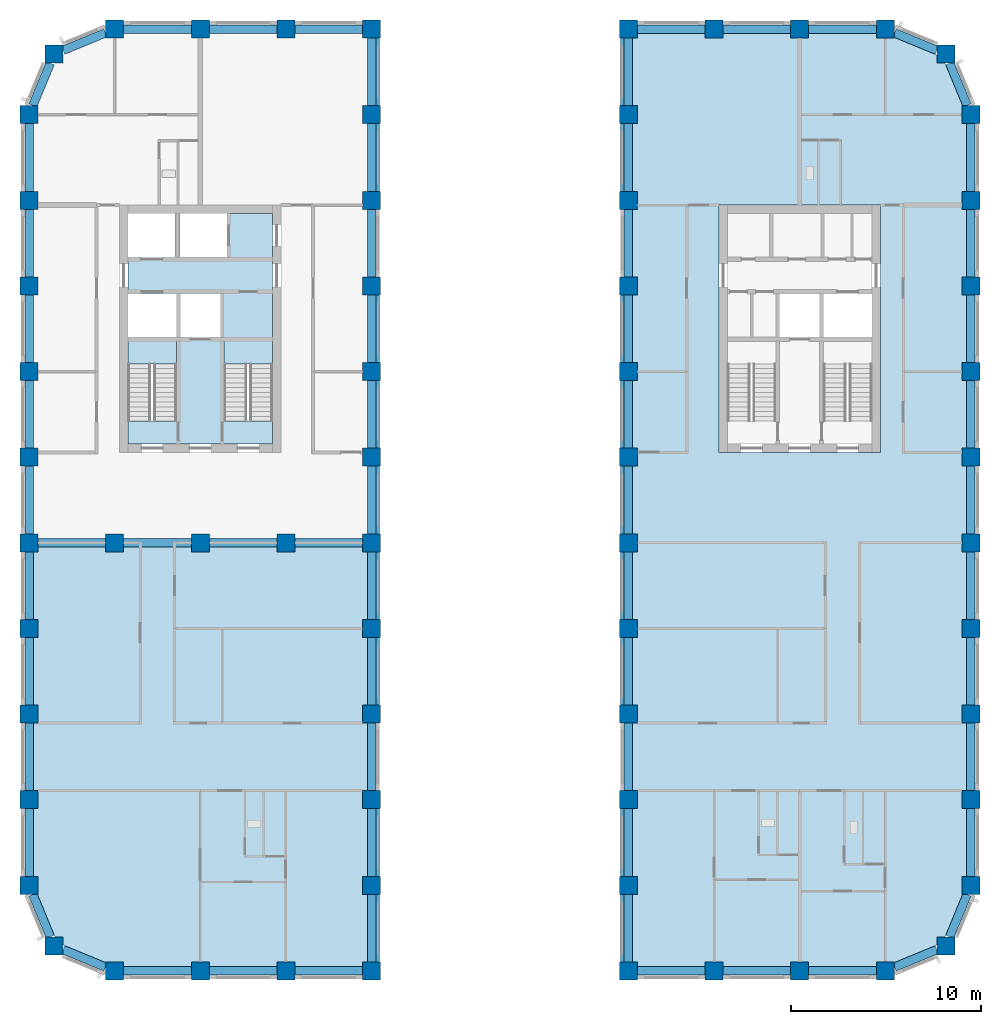
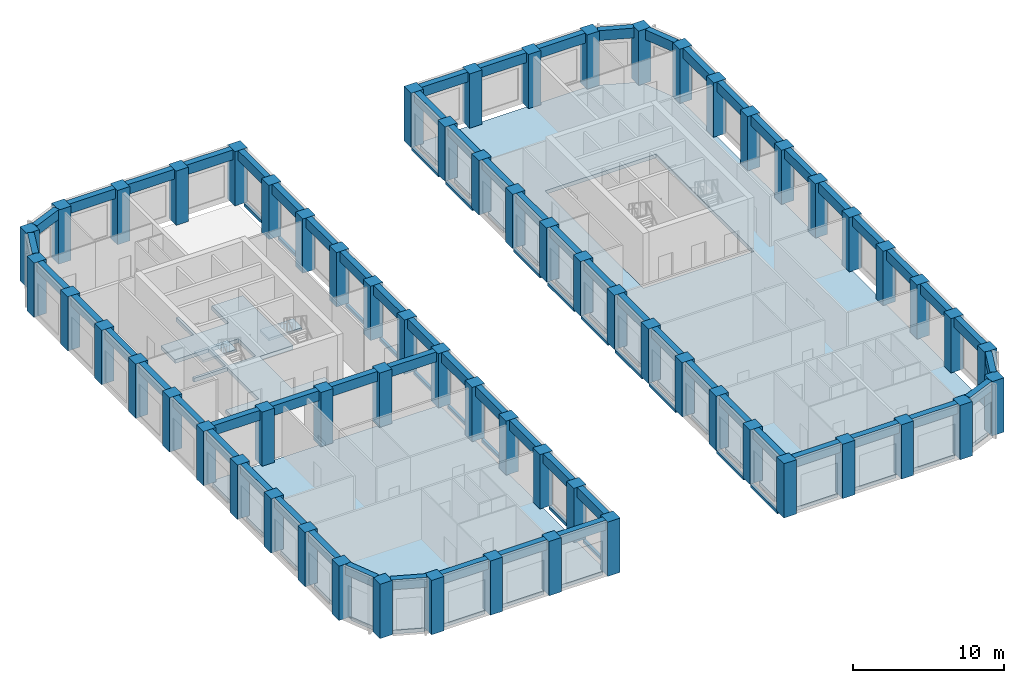
# One storey, part 1 of 13: 82 beams, 63 columns, 5 slabs, 2 elements without a shape of their own.
"""IFC4 building model written with IfcOpenShell, lengths in metres."""

from ifc_helpers import new_model, si_unit, direction, frame, origin, origin_2d, place, context, subcontext, project, spatial, polyline, rectangle, outline, extrude, material, layer, layer_set, material_profile, profile_set, type_object, element, aggregate, save


model = new_model("IFC4")

# Units and contexts
model_context = context("Model", 3, precision=1e-05, world=origin(), true_north=direction((0.0, 1.0)))
body_context = subcontext(model_context, "Body", "Model", "MODEL_VIEW")
ifc_project = project(units=[si_unit("LENGTHUNIT", "METRE"), si_unit("AREAUNIT", "SQUARE_METRE"), si_unit("VOLUMEUNIT", "CUBIC_METRE"), si_unit("PLANEANGLEUNIT", "RADIAN"), si_unit("MASSUNIT", "GRAM", prefix="KILO")], contexts=[model_context])

# Site, building, storey
site_placement = place(None, origin())
site = spatial("IfcSite", under=ifc_project, at=site_placement, CompositionType="ELEMENT")
building_placement = place(site_placement, origin())
building = spatial("IfcBuilding", under=site, at=building_placement, Name="Girih Gate Residences", CompositionType="ELEMENT")
storey_placement = place(building_placement, frame((0.0, 0.0, 150.60009765625)))
storey = spatial("IfcBuildingStorey", under=building, at=storey_placement, Name="L42", CompositionType="ELEMENT", Elevation=150.60009765625)

# Columns
ifc_material_1 = material(Name="Concrete C70/85", Category="concrete")
ifc_material_profile_1 = material_profile(ifc_material_1, rectangle(XDim=0.949951171875, YDim=0.949951171875, at=origin_2d()))
ifc_profile_set_1 = profile_set([ifc_material_profile_1], Name="Concrete C70/85")
column_type = type_object("IfcColumnType", Name="Pier RC 950x950 Concrete C70/85", PredefinedType="COLUMN", material=ifc_profile_set_1)
for number, where, z_axis, x_axis, name in (
    (1, (4.5, 0.0, 0.0), (0.0, 0.0, 1.0), (1.0, 0.0, 0.0), "Pier P2A L42"),
    (2, (9.0, 0.0, 0.0), (0.0, 0.0, 1.0), (1.0, 0.0, 0.0), "Pier P3A L42"),
    (3, (13.5, 0.0, 0.0), (0.0, 0.0, 1.0), (1.0, 0.0, 0.0), "Pier P4A L42"),
    (4, (18.0, 0.0, 0.0), (0.0, 0.0, 1.0), (1.0, 0.0, 0.0), "Pier P5A L42"),
    (5, (31.5, 0.0, 0.0), (0.0, 0.0, 1.0), (1.0, 0.0, 0.0), "Pier P8A L42"),
    (6, (36.0, 0.0, 0.0), (0.0, 0.0, 1.0), (1.0, 0.0, 0.0), "Pier P9A L42"),
    (7, (40.5, 0.0, 0.0), (0.0, 0.0, 1.0), (1.0, 0.0, 0.0), "Pier P10A L42"),
    (8, (45.0, 0.0, 0.0), (0.0, 0.0, 1.0), (1.0, 0.0, 0.0), "Pier P11A L42"),
    (9, (1.318115234375, 1.318115234375, 0.0), (0.0, 0.0, 1.0), (1.0, 0.0, 0.0), "Pier P1ANE L42"),
    (10, (48.181884765625, 1.318115234375, 0.0), (0.0, 0.0, 1.0), (1.0, 0.0, 0.0), "Pier P12ANW L42"),
    (11, (0.0, 4.5, 0.0), (0.0, 0.0, 1.0), (1.0, 0.0, 0.0), "Pier P1B L42"),
    (12, (18.0, 4.5, 0.0), (0.0, 0.0, 1.0), (1.0, 0.0, 0.0), "Pier P5B L42"),
    (13, (31.5, 4.5, 0.0), (0.0, 0.0, 1.0), (1.0, 0.0, 0.0), "Pier P8B L42"),
    (14, (49.5, 4.5, 0.0), (0.0, 0.0, 1.0), (1.0, 0.0, 0.0), "Pier P12B L42"),
    (15, (0.0, 9.0, 0.0), (0.0, 0.0, 1.0), (1.0, 0.0, 0.0), "Pier P1C L42"),
    (16, (18.0, 9.0, 0.0), (0.0, 0.0, 1.0), (1.0, 0.0, 0.0), "Pier P5C L42"),
    (17, (31.5, 9.0, 0.0), (0.0, 0.0, 1.0), (1.0, 0.0, 0.0), "Pier P8C L42"),
    (18, (49.5, 9.0, 0.0), (0.0, 0.0, 1.0), (1.0, 0.0, 0.0), "Pier P12C L42"),
    (19, (0.0, 13.5, 0.0), (0.0, 0.0, 1.0), (1.0, 0.0, 0.0), "Pier P1D L42"),
    (20, (18.0, 13.5, 0.0), (0.0, 0.0, 1.0), (1.0, 0.0, 0.0), "Pier P5D L42"),
    (21, (31.5, 13.5, 0.0), (0.0, 0.0, 1.0), (1.0, 0.0, 0.0), "Pier P8D L42"),
    (22, (49.5, 13.5, 0.0), (0.0, 0.0, 1.0), (1.0, 0.0, 0.0), "Pier P12D L42"),
    (23, (0.0, 18.0, 0.0), (0.0, 0.0, 1.0), (1.0, 0.0, 0.0), "Pier P1E L42"),
    (24, (18.0, 18.0, 0.0), (0.0, 0.0, 1.0), (1.0, 0.0, 0.0), "Pier P5E L42"),
    (25, (31.5, 18.0, 0.0), (0.0, 0.0, 1.0), (1.0, 0.0, 0.0), "Pier P8E L42"),
    (26, (49.5, 18.0, 0.0), (0.0, 0.0, 1.0), (1.0, 0.0, 0.0), "Pier P12E L42"),
    (27, (0.0, 22.5, 0.0), (0.0, 0.0, 1.0), (1.0, 0.0, 0.0), "Pier P1F L42"),
    (28, (4.5, 22.5, 0.0), (0.0, 0.0, 1.0), (1.0, 0.0, 0.0), "Pier P2F L42"),
    (29, (9.0, 22.5, 0.0), (0.0, 0.0, 1.0), (1.0, 0.0, 0.0), "Pier P3F L42"),
    (30, (13.5, 22.5, 0.0), (0.0, 0.0, 1.0), (1.0, 0.0, 0.0), "Pier P4F L42"),
    (31, (18.0, 22.5, 0.0), (0.0, 0.0, 1.0), (1.0, 0.0, 0.0), "Pier P5F L42"),
    (32, (31.5, 22.5, 0.0), (0.0, 0.0, 1.0), (1.0, 0.0, 0.0), "Pier P8F L42"),
    (33, (49.5, 22.5, 0.0), (0.0, 0.0, 1.0), (1.0, 0.0, 0.0), "Pier P12F L42"),
    (34, (0.0, 27.0, 0.0), (0.0, 0.0, 1.0), (1.0, 0.0, 0.0), "Pier P1G L42"),
    (35, (18.0, 27.0, 0.0), (0.0, 0.0, 1.0), (1.0, 0.0, 0.0), "Pier P5G L42"),
    (36, (31.5, 27.0, 0.0), (0.0, 0.0, 1.0), (1.0, 0.0, 0.0), "Pier P8G L42"),
    (37, (49.5, 27.0, 0.0), (0.0, 0.0, 1.0), (1.0, 0.0, 0.0), "Pier P12G L42"),
    (38, (0.0, 31.5, 0.0), (0.0, 0.0, 1.0), (1.0, 0.0, 0.0), "Pier P1H L42"),
    (39, (18.0, 31.5, 0.0), (0.0, 0.0, 1.0), (1.0, 0.0, 0.0), "Pier P5H L42"),
    (40, (31.5, 31.5, 0.0), (0.0, 0.0, 1.0), (1.0, 0.0, 0.0), "Pier P8H L42"),
    (41, (49.5, 31.5, 0.0), (0.0, 0.0, 1.0), (1.0, 0.0, 0.0), "Pier P12H L42"),
    (42, (0.0, 36.0, 0.0), (0.0, 0.0, 1.0), (1.0, 0.0, 0.0), "Pier P1I L42"),
    (43, (18.0, 36.0, 0.0), (0.0, 0.0, 1.0), (1.0, 0.0, 0.0), "Pier P5I L42"),
    (44, (31.5, 36.0, 0.0), (0.0, 0.0, 1.0), (1.0, 0.0, 0.0), "Pier P8I L42"),
    (45, (49.5, 36.0, 0.0), (0.0, 0.0, 1.0), (1.0, 0.0, 0.0), "Pier P12I L42"),
    (46, (0.0, 40.5, 0.0), (0.0, 0.0, 1.0), (1.0, 0.0, 0.0), "Pier P1J L42"),
    (47, (18.0, 40.5, 0.0), (0.0, 0.0, 1.0), (1.0, 0.0, 0.0), "Pier P5J L42"),
    (48, (31.5, 40.5, 0.0), (0.0, 0.0, 1.0), (1.0, 0.0, 0.0), "Pier P8J L42"),
    (49, (49.5, 40.5, 0.0), (0.0, 0.0, 1.0), (1.0, 0.0, 0.0), "Pier P12J L42"),
    (50, (0.0, 45.0, 0.0), (0.0, 0.0, 1.0), (1.0, 0.0, 0.0), "Pier P1K L42"),
    (51, (18.0, 45.0, 0.0), (0.0, 0.0, 1.0), (1.0, 0.0, 0.0), "Pier P5K L42"),
    (52, (31.5, 45.0, 0.0), (0.0, 0.0, 1.0), (1.0, 0.0, 0.0), "Pier P8K L42"),
    (53, (49.5, 45.0, 0.0), (0.0, 0.0, 1.0), (1.0, 0.0, 0.0), "Pier P12K L42"),
    (54, (1.318115234375, 48.181884765625, 0.0), (0.0, 0.0, 1.0), (1.0, 0.0, 0.0), "Pier P1LSE L42"),
    (55, (48.181884765625, 48.181884765625, 0.0), (0.0, 0.0, 1.0), (1.0, 0.0, 0.0), "Pier P12LSW L42"),
    (56, (4.5, 49.5, 0.0), (0.0, 0.0, 1.0), (1.0, 0.0, 0.0), "Pier P2L L42"),
    (57, (9.0, 49.5, 0.0), (0.0, 0.0, 1.0), (1.0, 0.0, 0.0), "Pier P3L L42"),
    (58, (13.5, 49.5, 0.0), (0.0, 0.0, 1.0), (1.0, 0.0, 0.0), "Pier P4L L42"),
    (59, (18.0, 49.5, 0.0), (0.0, 0.0, 1.0), (1.0, 0.0, 0.0), "Pier P5L L42"),
    (60, (31.5, 49.5, 0.0), (0.0, 0.0, 1.0), (1.0, 0.0, 0.0), "Pier P8L L42"),
    (61, (36.0, 49.5, 0.0), (0.0, 0.0, 1.0), (1.0, 0.0, 0.0), "Pier P9L L42"),
    (62, (40.5, 49.5, 0.0), (0.0, 0.0, 1.0), (1.0, 0.0, 0.0), "Pier P10L L42"),
    (63, (45.0, 49.5, 0.0), (0.0, 0.0, 1.0), (1.0, 0.0, 0.0), "Pier P11L L42"),
):
    element("IfcColumn", number, at=place(storey_placement, frame(where, z_axis=z_axis, x_axis=x_axis)), inside=storey, type_object=column_type, Name=name, PredefinedType="COLUMN", context=body_context, shape_type="SweptSolid", body=[
        extrude(rectangle(XDim=0.949951171875, YDim=0.949951171875, at=origin_2d()), origin(), (0.0, 0.0, 1.0), 4.39990234375),
    ])

# Beams
ifc_material_2 = material(Name="Concrete C50/60", Category="concrete")
ifc_material_profile_2 = material_profile(ifc_material_2, rectangle(XDim=0.199951171875, YDim=0.25, at=origin_2d()))
ifc_profile_set_2 = profile_set([ifc_material_profile_2], Name="Concrete C50/60")
beam_type_1 = type_object("IfcBeamType", Name="Facade ledge RC 200x250 Concrete C50/60", PredefinedType="BEAM", material=ifc_profile_set_2)
for number, where, z_axis, x_axis, name in (
    (64, (18.324951171875, 0.47509765625, -0.125), (0.0, 1.0, 0.0), (-1.0, 0.0, 0.0), "Facade ledge E0180_0000.0 L42"),
    (65, (18.324951171875, 4.97509765625, -0.125), (0.0, 1.0, 0.0), (-1.0, 0.0, 0.0), "Facade ledge E0180_0000.1 L42"),
    (66, (18.324951171875, 13.97509765625, -0.125), (0.0, 1.0, 0.0), (-1.0, 0.0, 0.0), "Facade ledge E0180_0000.3 L42"),
    (67, (18.324951171875, 18.47509765625, -0.125), (0.0, 1.0, 0.0), (-1.0, 0.0, 0.0), "Facade ledge E0180_0000.4 L42"),
    (68, (18.324951171875, 22.97509765625, -0.125), (0.0, 1.0, 0.0), (-1.0, 0.0, 0.0), "Facade ledge E0180_0000.5 L42"),
    (69, (18.324951171875, 27.47509765625, -0.125), (0.0, 1.0, 0.0), (-1.0, 0.0, 0.0), "Facade ledge E0180_0000.6 L42"),
    (70, (18.324951171875, 31.97509765625, -0.125), (0.0, 1.0, 0.0), (-1.0, 0.0, 0.0), "Facade ledge E0180_0000.7 L42"),
    (71, (18.324951171875, 40.97509765625, -0.125), (0.0, 1.0, 0.0), (-1.0, 0.0, 0.0), "Facade ledge E0180_0000.9 L42"),
    (72, (18.324951171875, 45.47509765625, -0.125), (0.0, 1.0, 0.0), (-1.0, 0.0, 0.0), "Facade ledge E0180_0000.10 L42"),
    (73, (31.175048828125, 49.02490234375, -0.125), (0.0, -1.0, 0.0), (1.0, 0.0, 0.0), "Facade ledge W0315_0495.0 L42"),
    (74, (31.175048828125, 44.52490234375, -0.125), (0.0, -1.0, 0.0), (1.0, 0.0, 0.0), "Facade ledge W0315_0495.1 L42"),
    (75, (31.175048828125, 35.52490234375, -0.125), (0.0, -1.0, 0.0), (1.0, 0.0, 0.0), "Facade ledge W0315_0495.3 L42"),
    (76, (31.175048828125, 31.02490234375, -0.125), (0.0, -1.0, 0.0), (1.0, 0.0, 0.0), "Facade ledge W0315_0495.4 L42"),
    (77, (31.175048828125, 26.52490234375, -0.125), (0.0, -1.0, 0.0), (1.0, 0.0, 0.0), "Facade ledge W0315_0495.5 L42"),
    (78, (31.175048828125, 22.02490234375, -0.125), (0.0, -1.0, 0.0), (1.0, 0.0, 0.0), "Facade ledge W0315_0495.6 L42"),
    (79, (31.175048828125, 17.52490234375, -0.125), (0.0, -1.0, 0.0), (1.0, 0.0, 0.0), "Facade ledge W0315_0495.7 L42"),
    (80, (31.175048828125, 8.52490234375, -0.125), (0.0, -1.0, 0.0), (1.0, 0.0, 0.0), "Facade ledge W0315_0495.9 L42"),
    (81, (31.175048828125, 4.02490234375, -0.125), (0.0, -1.0, 0.0), (1.0, 0.0, 0.0), "Facade ledge W0315_0495.10 L42"),
):
    element("IfcBeam", number, at=place(storey_placement, frame(where, z_axis=z_axis, x_axis=x_axis)), inside=storey, type_object=beam_type_1, Name=name, PredefinedType="BEAM", context=body_context, shape_type="SweptSolid", body=[
        extrude(rectangle(XDim=0.199951171875, YDim=0.25, at=origin_2d()), origin(), (0.0, 0.0, 1.0), 3.5498046875),
    ])
ifc_material_3 = material(Name="Concrete C60/75", Category="concrete")
ifc_material_profile_3 = material_profile(ifc_material_3, rectangle(XDim=0.449951171875, YDim=0.800048828125, at=origin_2d()))
ifc_profile_set_3 = profile_set([ifc_material_profile_3], Name="Concrete C60/75")
beam_type_2 = type_object("IfcBeamType", Name="Spandrel girder RC 450x800 Concrete C60/75", PredefinedType="BEAM", material=ifc_profile_set_3)
for number, where, z_axis, x_axis, name in (
    (82, (17.52490234375, 49.5, 4.0), (-1.0, 0.0, 0.0), (0.0, -1.0, 0.0), "Spandrel girder SP-P5L-P4L L42"),
    (83, (13.02490234375, 49.5, 4.0), (-1.0, 0.0, 0.0), (0.0, -1.0, 0.0), "Spandrel girder SP-P4L-P3L L42"),
    (84, (8.52490234375, 49.5, 4.0), (-1.0, 0.0, 0.0), (0.0, -1.0, 0.0), "Spandrel girder SP-P3L-P2L L42"),
):
    element("IfcBeam", number, at=place(storey_placement, frame(where, z_axis=z_axis, x_axis=x_axis)), inside=storey, type_object=beam_type_2, Name=name, PredefinedType="BEAM", context=body_context, shape_type="SweptSolid", body=[
        extrude(rectangle(XDim=0.449951171875, YDim=0.800048828125, at=origin_2d()), origin(), (0.0, 0.0, 1.0), 3.5498046875),
    ])
for number, where, z_axis, x_axis, name in (
    (85, (4.02490234375, 49.30322265625, 4.0), (-0.923870256451, -0.382705825988, 0.0), (0.382705825988, -0.923870256451, 0.0), "Spandrel girder SP-P2L-P1LSE L42"),
    (86, (1.121337890625, 47.70703125, 4.0), (-0.382705825988, -0.923870256451, 0.0), (0.923870256451, -0.382705825988, 0.0), "Spandrel girder SP-P1LSE-P1K L42"),
):
    element("IfcBeam", number, at=place(storey_placement, frame(where, z_axis=z_axis, x_axis=x_axis)), inside=storey, type_object=beam_type_2, Name=name, PredefinedType="BEAM", context=body_context, shape_type="SweptSolid", body=[
        extrude(rectangle(XDim=0.449951171875, YDim=0.800048828125, at=origin_2d()), origin(), (0.0, 0.0, 1.0), 2.415771484375),
    ])
for number, where, z_axis, x_axis, name in (
    (87, (0.0, 44.52490234375, 4.0), (0.0, -1.0, 0.0), (1.0, 0.0, 0.0), "Spandrel girder SP-P1K-P1J L42"),
    (88, (0.0, 40.02490234375, 4.0), (0.0, -1.0, 0.0), (1.0, 0.0, 0.0), "Spandrel girder SP-P1J-P1I L42"),
    (89, (0.0, 35.52490234375, 4.0), (0.0, -1.0, 0.0), (1.0, 0.0, 0.0), "Spandrel girder SP-P1I-P1H L42"),
    (90, (0.0, 31.02490234375, 4.0), (0.0, -1.0, 0.0), (1.0, 0.0, 0.0), "Spandrel girder SP-P1H-P1G L42"),
    (91, (0.0, 26.52490234375, 4.0), (0.0, -1.0, 0.0), (1.0, 0.0, 0.0), "Spandrel girder SP-P1G-P1F L42"),
    (92, (0.0, 22.02490234375, 4.0), (0.0, -1.0, 0.0), (1.0, 0.0, 0.0), "Spandrel girder SP-P1F-P1E L42"),
    (93, (0.0, 17.52490234375, 4.0), (0.0, -1.0, 0.0), (1.0, 0.0, 0.0), "Spandrel girder SP-P1E-P1D L42"),
    (94, (0.0, 13.02490234375, 4.0), (0.0, -1.0, 0.0), (1.0, 0.0, 0.0), "Spandrel girder SP-P1D-P1C L42"),
    (95, (0.0, 8.52490234375, 4.0), (0.0, -1.0, 0.0), (1.0, 0.0, 0.0), "Spandrel girder SP-P1C-P1B L42"),
):
    element("IfcBeam", number, at=place(storey_placement, frame(where, z_axis=z_axis, x_axis=x_axis)), inside=storey, type_object=beam_type_2, Name=name, PredefinedType="BEAM", context=body_context, shape_type="SweptSolid", body=[
        extrude(rectangle(XDim=0.449951171875, YDim=0.800048828125, at=origin_2d()), origin(), (0.0, 0.0, 1.0), 3.5498046875),
    ])
for number, where, z_axis, x_axis, name in (
    (96, (0.19677734375, 4.02490234375, 4.0), (0.382705825988, -0.923870256451, 0.0), (0.923870256451, 0.382705825988, 0.0), "Spandrel girder SP-P1B-P1ANE L42"),
    (97, (1.79296875, 1.121337890625, 4.0), (0.923870256451, -0.382705825988, 0.0), (0.382705825988, 0.923870256451, 0.0), "Spandrel girder SP-P1ANE-P2A L42"),
):
    element("IfcBeam", number, at=place(storey_placement, frame(where, z_axis=z_axis, x_axis=x_axis)), inside=storey, type_object=beam_type_2, Name=name, PredefinedType="BEAM", context=body_context, shape_type="SweptSolid", body=[
        extrude(rectangle(XDim=0.449951171875, YDim=0.800048828125, at=origin_2d()), origin(), (0.0, 0.0, 1.0), 2.415771484375),
    ])
for number, where, z_axis, x_axis, name in (
    (98, (4.97509765625, 0.0, 4.0), (1.0, 0.0, 0.0), (0.0, 1.0, 0.0), "Spandrel girder SP-P2A-P3A L42"),
    (99, (9.47509765625, 0.0, 4.0), (1.0, 0.0, 0.0), (0.0, 1.0, 0.0), "Spandrel girder SP-P3A-P4A L42"),
    (100, (13.97509765625, 0.0, 4.0), (1.0, 0.0, 0.0), (0.0, 1.0, 0.0), "Spandrel girder SP-P4A-P5A L42"),
    (101, (18.0, 0.47509765625, 4.0), (0.0, 1.0, 0.0), (-1.0, 0.0, 0.0), "Spandrel girder SP-P5A-P5B L42"),
    (102, (18.0, 4.97509765625, 4.0), (0.0, 1.0, 0.0), (-1.0, 0.0, 0.0), "Spandrel girder SP-P5B-P5C L42"),
    (103, (18.0, 9.47509765625, 4.0), (0.0, 1.0, 0.0), (-1.0, 0.0, 0.0), "Spandrel girder SP-P5C-P5D L42"),
    (104, (18.0, 13.97509765625, 4.0), (0.0, 1.0, 0.0), (-1.0, 0.0, 0.0), "Spandrel girder SP-P5D-P5E L42"),
    (105, (18.0, 18.47509765625, 4.0), (0.0, 1.0, 0.0), (-1.0, 0.0, 0.0), "Spandrel girder SP-P5E-P5F L42"),
    (106, (18.0, 22.97509765625, 4.0), (0.0, 1.0, 0.0), (-1.0, 0.0, 0.0), "Spandrel girder SP-P5F-P5G L42"),
    (107, (18.0, 27.47509765625, 4.0), (0.0, 1.0, 0.0), (-1.0, 0.0, 0.0), "Spandrel girder SP-P5G-P5H L42"),
    (108, (18.0, 31.97509765625, 4.0), (0.0, 1.0, 0.0), (-1.0, 0.0, 0.0), "Spandrel girder SP-P5H-P5I L42"),
    (109, (18.0, 36.47509765625, 4.0), (0.0, 1.0, 0.0), (-1.0, 0.0, 0.0), "Spandrel girder SP-P5I-P5J L42"),
    (110, (18.0, 40.97509765625, 4.0), (0.0, 1.0, 0.0), (-1.0, 0.0, 0.0), "Spandrel girder SP-P5J-P5K L42"),
    (111, (18.0, 45.47509765625, 4.0), (0.0, 1.0, 0.0), (-1.0, 0.0, 0.0), "Spandrel girder SP-P5K-P5L L42"),
    (112, (31.97509765625, 0.0, 4.0), (1.0, 0.0, 0.0), (0.0, 1.0, 0.0), "Spandrel girder SP-P8A-P9A L42"),
    (113, (36.47509765625, 0.0, 4.0), (1.0, 0.0, 0.0), (0.0, 1.0, 0.0), "Spandrel girder SP-P9A-P10A L42"),
    (114, (40.97509765625, 0.0, 4.0), (1.0, 0.0, 0.0), (0.0, 1.0, 0.0), "Spandrel girder SP-P10A-P11A L42"),
):
    element("IfcBeam", number, at=place(storey_placement, frame(where, z_axis=z_axis, x_axis=x_axis)), inside=storey, type_object=beam_type_2, Name=name, PredefinedType="BEAM", context=body_context, shape_type="SweptSolid", body=[
        extrude(rectangle(XDim=0.449951171875, YDim=0.800048828125, at=origin_2d()), origin(), (0.0, 0.0, 1.0), 3.5498046875),
    ])
for number, where, z_axis, x_axis, name in (
    (115, (45.47509765625, 0.19677734375, 4.0), (0.923870256451, 0.382705825988, 0.0), (-0.382705825988, 0.923870256451, 0.0), "Spandrel girder SP-P11A-P12ANW L42"),
    (116, (48.378662109375, 1.79296875, 4.0), (0.382705825988, 0.923870256451, 0.0), (-0.923870256451, 0.382705825988, 0.0), "Spandrel girder SP-P12ANW-P12B L42"),
):
    element("IfcBeam", number, at=place(storey_placement, frame(where, z_axis=z_axis, x_axis=x_axis)), inside=storey, type_object=beam_type_2, Name=name, PredefinedType="BEAM", context=body_context, shape_type="SweptSolid", body=[
        extrude(rectangle(XDim=0.449951171875, YDim=0.800048828125, at=origin_2d()), origin(), (0.0, 0.0, 1.0), 2.415771484375),
    ])
for number, where, z_axis, x_axis, name in (
    (117, (49.5, 4.97509765625, 4.0), (0.0, 1.0, 0.0), (-1.0, 0.0, 0.0), "Spandrel girder SP-P12B-P12C L42"),
    (118, (49.5, 9.47509765625, 4.0), (0.0, 1.0, 0.0), (-1.0, 0.0, 0.0), "Spandrel girder SP-P12C-P12D L42"),
    (119, (49.5, 13.97509765625, 4.0), (0.0, 1.0, 0.0), (-1.0, 0.0, 0.0), "Spandrel girder SP-P12D-P12E L42"),
    (120, (49.5, 18.47509765625, 4.0), (0.0, 1.0, 0.0), (-1.0, 0.0, 0.0), "Spandrel girder SP-P12E-P12F L42"),
    (121, (49.5, 22.97509765625, 4.0), (0.0, 1.0, 0.0), (-1.0, 0.0, 0.0), "Spandrel girder SP-P12F-P12G L42"),
    (122, (49.5, 27.47509765625, 4.0), (0.0, 1.0, 0.0), (-1.0, 0.0, 0.0), "Spandrel girder SP-P12G-P12H L42"),
    (123, (49.5, 31.97509765625, 4.0), (0.0, 1.0, 0.0), (-1.0, 0.0, 0.0), "Spandrel girder SP-P12H-P12I L42"),
    (124, (49.5, 36.47509765625, 4.0), (0.0, 1.0, 0.0), (-1.0, 0.0, 0.0), "Spandrel girder SP-P12I-P12J L42"),
    (125, (49.5, 40.97509765625, 4.0), (0.0, 1.0, 0.0), (-1.0, 0.0, 0.0), "Spandrel girder SP-P12J-P12K L42"),
):
    element("IfcBeam", number, at=place(storey_placement, frame(where, z_axis=z_axis, x_axis=x_axis)), inside=storey, type_object=beam_type_2, Name=name, PredefinedType="BEAM", context=body_context, shape_type="SweptSolid", body=[
        extrude(rectangle(XDim=0.449951171875, YDim=0.800048828125, at=origin_2d()), origin(), (0.0, 0.0, 1.0), 3.5498046875),
    ])
for number, where, z_axis, x_axis, name in (
    (126, (49.30322265625, 45.47509765625, 4.0), (-0.382705825988, 0.923870256451, 0.0), (-0.923870256451, -0.382705825988, 0.0), "Spandrel girder SP-P12K-P12LSW L42"),
    (127, (47.70703125, 48.378662109375, 4.0), (-0.923870256451, 0.382705825988, 0.0), (-0.382705825988, -0.923870256451, 0.0), "Spandrel girder SP-P12LSW-P11L L42"),
):
    element("IfcBeam", number, at=place(storey_placement, frame(where, z_axis=z_axis, x_axis=x_axis)), inside=storey, type_object=beam_type_2, Name=name, PredefinedType="BEAM", context=body_context, shape_type="SweptSolid", body=[
        extrude(rectangle(XDim=0.449951171875, YDim=0.800048828125, at=origin_2d()), origin(), (0.0, 0.0, 1.0), 2.415771484375),
    ])
for number, where, z_axis, x_axis, name in (
    (128, (44.52490234375, 49.5, 4.0), (-1.0, 0.0, 0.0), (0.0, -1.0, 0.0), "Spandrel girder SP-P11L-P10L L42"),
    (129, (40.02490234375, 49.5, 4.0), (-1.0, 0.0, 0.0), (0.0, -1.0, 0.0), "Spandrel girder SP-P10L-P9L L42"),
    (130, (35.52490234375, 49.5, 4.0), (-1.0, 0.0, 0.0), (0.0, -1.0, 0.0), "Spandrel girder SP-P9L-P8L L42"),
    (131, (31.5, 49.02490234375, 4.0), (0.0, -1.0, 0.0), (1.0, 0.0, 0.0), "Spandrel girder SP-P8L-P8K L42"),
    (132, (31.5, 44.52490234375, 4.0), (0.0, -1.0, 0.0), (1.0, 0.0, 0.0), "Spandrel girder SP-P8K-P8J L42"),
    (133, (31.5, 40.02490234375, 4.0), (0.0, -1.0, 0.0), (1.0, 0.0, 0.0), "Spandrel girder SP-P8J-P8I L42"),
    (134, (31.5, 35.52490234375, 4.0), (0.0, -1.0, 0.0), (1.0, 0.0, 0.0), "Spandrel girder SP-P8I-P8H L42"),
    (135, (31.5, 31.02490234375, 4.0), (0.0, -1.0, 0.0), (1.0, 0.0, 0.0), "Spandrel girder SP-P8H-P8G L42"),
    (136, (31.5, 26.52490234375, 4.0), (0.0, -1.0, 0.0), (1.0, 0.0, 0.0), "Spandrel girder SP-P8G-P8F L42"),
    (137, (31.5, 22.02490234375, 4.0), (0.0, -1.0, 0.0), (1.0, 0.0, 0.0), "Spandrel girder SP-P8F-P8E L42"),
    (138, (31.5, 17.52490234375, 4.0), (0.0, -1.0, 0.0), (1.0, 0.0, 0.0), "Spandrel girder SP-P8E-P8D L42"),
    (139, (31.5, 13.02490234375, 4.0), (0.0, -1.0, 0.0), (1.0, 0.0, 0.0), "Spandrel girder SP-P8D-P8C L42"),
    (140, (31.5, 8.52490234375, 4.0), (0.0, -1.0, 0.0), (1.0, 0.0, 0.0), "Spandrel girder SP-P8C-P8B L42"),
    (141, (31.5, 4.02490234375, 4.0), (0.0, -1.0, 0.0), (1.0, 0.0, 0.0), "Spandrel girder SP-P8B-P8A L42"),
    (142, (0.47509765625, 22.5, 4.0), (1.0, 0.0, 0.0), (0.0, 1.0, 0.0), "Spandrel girder SP-P1F-P2F L42"),
    (143, (4.97509765625, 22.5, 4.0), (1.0, 0.0, 0.0), (0.0, 1.0, 0.0), "Spandrel girder SP-P2F-P3F L42"),
    (144, (9.47509765625, 22.5, 4.0), (1.0, 0.0, 0.0), (0.0, 1.0, 0.0), "Spandrel girder SP-P3F-P4F L42"),
    (145, (13.97509765625, 22.5, 4.0), (1.0, 0.0, 0.0), (0.0, 1.0, 0.0), "Spandrel girder SP-P4F-P5F L42"),
):
    element("IfcBeam", number, at=place(storey_placement, frame(where, z_axis=z_axis, x_axis=x_axis)), inside=storey, type_object=beam_type_2, Name=name, PredefinedType="BEAM", context=body_context, shape_type="SweptSolid", body=[
        extrude(rectangle(XDim=0.449951171875, YDim=0.800048828125, at=origin_2d()), origin(), (0.0, 0.0, 1.0), 3.5498046875),
    ])

# Slabs
ifc_material_4 = material(Name="Concrete C40/50", Category="concrete")
ifc_layer_1 = layer(ifc_material_4, 0.300048828125)
ifc_layer_set_1 = layer_set([ifc_layer_1], Name="Core floor slab 300")
slab_type_1 = type_object("IfcSlabType", Name="Core floor slab 300", PredefinedType="FLOOR", material=ifc_layer_set_1)
slab_1_placement = place(storey_placement, frame((0.0, 0.0, -0.300048828125)))
element("IfcSlab", 146, at=slab_1_placement, inside=storey, type_object=slab_type_1, Name="L42 W core floor", PredefinedType="FLOOR", context=body_context, shape_type="SweptSolid", body=[
    extrude(outline(polyline([(12.800048828125, 27.699951171875), (5.199951171875, 27.699951171875), (5.199951171875, 28.900634765625), (7.75, 28.900634765625), (7.75, 33.10009765625), (5.199951171875, 33.10009765625), (5.199951171875, 33.300048828125), (7.75, 33.300048828125), (7.75, 35.60009765625), (5.199951171875, 35.60009765625), (5.199951171875, 37.5), (7.699951171875, 37.5), (7.699951171875, 39.800048828125), (7.89990234375, 39.800048828125), (7.89990234375, 37.5), (10.39990234375, 37.5), (10.39990234375, 39.800048828125), (12.800048828125, 39.800048828125), (12.800048828125, 33.10009765625), (10.25, 33.10009765625), (10.25, 28.900634765625), (12.800048828125, 28.900634765625), (12.800048828125, 27.699951171875)]), holes=[polyline([(7.949951171875, 33.300048828125), (10.050048828125, 33.300048828125), (10.050048828125, 35.60009765625), (7.949951171875, 35.60009765625), (7.949951171875, 33.300048828125)])]), origin(), (0.0, 0.0, 1.0), 0.300048828125),
])
ifc_layer_2 = layer(ifc_material_4, 0.300048828125)
ifc_layer_set_2 = layer_set([ifc_layer_2], Name="Floor slab PT 300 Concrete C40/50")
slab_type_2 = type_object("IfcSlabType", Name="Floor slab PT 300 Concrete C40/50", PredefinedType="FLOOR", material=ifc_layer_set_2)
slab_2_placement = place(storey_placement, frame((0.0, 0.0, -0.300048828125)))
element("IfcSlab", 147, at=slab_2_placement, inside=storey, type_object=slab_type_2, Name="Floor slab L42 0", PredefinedType="FLOOR", context=body_context, shape_type="SweptSolid", body=[
    extrude(outline(polyline([(13.97509765625, 0.22509765625), (17.52490234375, 0.22509765625), (17.52490234375, 0.47509765625), (17.77490234375, 0.47509765625), (17.77490234375, 4.02490234375), (17.52490234375, 4.02490234375), (17.52490234375, 4.97509765625), (17.77490234375, 4.97509765625), (17.77490234375, 8.52490234375), (17.52490234375, 8.52490234375), (17.52490234375, 9.47509765625), (17.77490234375, 9.47509765625), (17.77490234375, 13.02490234375), (17.52490234375, 13.02490234375), (17.52490234375, 13.97509765625), (17.77490234375, 13.97509765625), (17.77490234375, 17.52490234375), (17.52490234375, 17.52490234375), (17.52490234375, 18.47509765625), (17.77490234375, 18.47509765625), (17.77490234375, 22.02490234375), (17.52490234375, 22.02490234375), (17.52490234375, 22.27490234375), (13.97509765625, 22.27490234375), (13.97509765625, 22.02490234375), (13.02490234375, 22.02490234375), (13.02490234375, 22.27490234375), (9.47509765625, 22.27490234375), (9.47509765625, 22.02490234375), (8.52490234375, 22.02490234375), (8.52490234375, 22.27490234375), (4.97509765625, 22.27490234375), (4.97509765625, 22.02490234375), (4.02490234375, 22.02490234375), (4.02490234375, 22.27490234375), (0.47509765625, 22.27490234375), (0.47509765625, 22.02490234375), (0.22509765625, 22.02490234375), (0.22509765625, 18.47509765625), (0.47509765625, 18.47509765625), (0.47509765625, 17.52490234375), (0.22509765625, 17.52490234375), (0.22509765625, 13.97509765625), (0.47509765625, 13.97509765625), (0.47509765625, 13.02490234375), (0.22509765625, 13.02490234375), (0.22509765625, 9.47509765625), (0.47509765625, 9.47509765625), (0.47509765625, 8.52490234375), (0.22509765625, 8.52490234375), (0.22509765625, 4.97509765625), (0.47509765625, 4.97509765625), (0.47509765625, 4.02490234375), (0.440185546875, 4.02490234375), (1.36474609375, 1.79296875), (1.79296875, 1.79296875), (1.79296875, 1.36474609375), (4.02490234375, 0.440185546875), (4.02490234375, 0.47509765625), (4.97509765625, 0.47509765625), (4.97509765625, 0.22509765625), (8.52490234375, 0.22509765625), (8.52490234375, 0.47509765625), (9.47509765625, 0.47509765625), (9.47509765625, 0.22509765625), (13.02490234375, 0.22509765625), (13.02490234375, 0.47509765625), (13.97509765625, 0.47509765625), (13.97509765625, 0.22509765625)])), origin(), (0.0, 0.0, 1.0), 0.300048828125),
])
slab_3_placement = place(storey_placement, frame((0.0, 0.0, -0.300048828125)))
element("IfcSlab", 148, at=slab_3_placement, inside=storey, type_object=slab_type_2, Name="Floor slab L42 1", PredefinedType="FLOOR", context=body_context, shape_type="SweptSolid", body=[
    extrude(outline(polyline([(35.52490234375, 49.27490234375), (31.97509765625, 49.27490234375), (31.97509765625, 49.02490234375), (31.72509765625, 49.02490234375), (31.72509765625, 45.47509765625), (31.97509765625, 45.47509765625), (31.97509765625, 44.52490234375), (31.72509765625, 44.52490234375), (31.72509765625, 40.97509765625), (31.97509765625, 40.97509765625), (31.97509765625, 40.02490234375), (31.72509765625, 40.02490234375), (31.72509765625, 36.47509765625), (31.97509765625, 36.47509765625), (31.97509765625, 35.52490234375), (31.72509765625, 35.52490234375), (31.72509765625, 31.97509765625), (31.97509765625, 31.97509765625), (31.97509765625, 31.02490234375), (31.72509765625, 31.02490234375), (31.72509765625, 27.47509765625), (31.97509765625, 27.47509765625), (31.97509765625, 26.52490234375), (31.72509765625, 26.52490234375), (31.72509765625, 22.97509765625), (31.97509765625, 22.97509765625), (31.97509765625, 22.02490234375), (31.72509765625, 22.02490234375), (31.72509765625, 18.47509765625), (31.97509765625, 18.47509765625), (31.97509765625, 17.52490234375), (31.72509765625, 17.52490234375), (31.72509765625, 13.97509765625), (31.97509765625, 13.97509765625), (31.97509765625, 13.02490234375), (31.72509765625, 13.02490234375), (31.72509765625, 9.47509765625), (31.97509765625, 9.47509765625), (31.97509765625, 8.52490234375), (31.72509765625, 8.52490234375), (31.72509765625, 4.97509765625), (31.97509765625, 4.97509765625), (31.97509765625, 4.02490234375), (31.72509765625, 4.02490234375), (31.72509765625, 0.47509765625), (31.97509765625, 0.47509765625), (31.97509765625, 0.22509765625), (35.52490234375, 0.22509765625), (35.52490234375, 0.47509765625), (36.47509765625, 0.47509765625), (36.47509765625, 0.22509765625), (40.02490234375, 0.22509765625), (40.02490234375, 0.47509765625), (40.97509765625, 0.47509765625), (40.97509765625, 0.22509765625), (44.52490234375, 0.22509765625), (44.52490234375, 0.47509765625), (45.47509765625, 0.47509765625), (45.47509765625, 0.440185546875), (47.70703125, 1.36474609375), (47.70703125, 1.79296875), (48.13525390625, 1.79296875), (49.059814453125, 4.02490234375), (49.02490234375, 4.02490234375), (49.02490234375, 4.97509765625), (49.27490234375, 4.97509765625), (49.27490234375, 8.52490234375), (49.02490234375, 8.52490234375), (49.02490234375, 9.47509765625), (49.27490234375, 9.47509765625), (49.27490234375, 13.02490234375), (49.02490234375, 13.02490234375), (49.02490234375, 13.97509765625), (49.27490234375, 13.97509765625), (49.27490234375, 17.52490234375), (49.02490234375, 17.52490234375), (49.02490234375, 18.47509765625), (49.27490234375, 18.47509765625), (49.27490234375, 22.02490234375), (49.02490234375, 22.02490234375), (49.02490234375, 22.97509765625), (49.27490234375, 22.97509765625), (49.27490234375, 26.52490234375), (49.02490234375, 26.52490234375), (49.02490234375, 27.47509765625), (49.27490234375, 27.47509765625), (49.27490234375, 31.02490234375), (49.02490234375, 31.02490234375), (49.02490234375, 31.97509765625), (49.27490234375, 31.97509765625), (49.27490234375, 35.52490234375), (49.02490234375, 35.52490234375), (49.02490234375, 36.47509765625), (49.27490234375, 36.47509765625), (49.27490234375, 40.02490234375), (49.02490234375, 40.02490234375), (49.02490234375, 40.97509765625), (49.27490234375, 40.97509765625), (49.27490234375, 44.52490234375), (49.02490234375, 44.52490234375), (49.02490234375, 45.47509765625), (49.059814453125, 45.47509765625), (48.13525390625, 47.70703125), (47.70703125, 47.70703125), (47.70703125, 48.13525390625), (45.47509765625, 49.059814453125), (45.47509765625, 49.02490234375), (44.52490234375, 49.02490234375), (44.52490234375, 49.27490234375), (40.97509765625, 49.27490234375), (40.97509765625, 49.02490234375), (40.02490234375, 49.02490234375), (40.02490234375, 49.27490234375), (36.47509765625, 49.27490234375), (36.47509765625, 49.02490234375), (35.52490234375, 49.02490234375), (35.52490234375, 49.27490234375)]), holes=[polyline([(44.75, 40.25), (44.75, 27.25), (36.25, 27.25), (36.25, 40.25), (44.75, 40.25)])]), origin(), (0.0, 0.0, 1.0), 0.300048828125),
])

# Stair, slab
stair_type = type_object("IfcStairType", Name="Exit stair", PredefinedType="HALF_TURN_STAIR", material=ifc_material_4)
stair_1_placement = place(storey_placement, origin())
stair_1 = element("IfcStair", 149, at=stair_1_placement, inside=storey, type_object=stair_type, Name="L42 Exit Stair ST-W1", PredefinedType="HALF_TURN_STAIR")
ifc_layer_3 = layer(ifc_material_4, 0.199951171875)
ifc_layer_set_3 = layer_set([ifc_layer_3], Name="Stair landing 200")
slab_type_3 = type_object("IfcSlabType", Name="Stair landing 200", PredefinedType="LANDING", material=ifc_layer_set_3)
slab_4_placement = place(storey_placement, frame((0.0, 0.0, 2.0)))
slab_4 = element("IfcSlab", 150, at=slab_4_placement, type_object=slab_type_3, Name="ST-W1 landing 1", PredefinedType="LANDING", context=body_context, shape_type="SweptSolid", body=[
    extrude(outline(polyline([(7.75, 31.89990234375), (7.75, 33.10009765625), (5.199951171875, 33.10009765625), (5.199951171875, 31.89990234375), (7.75, 31.89990234375)])), origin(), (0.0, 0.0, 1.0), 0.199951171875),
])
aggregate(stair_1, [slab_4])

stair_2_placement = place(storey_placement, origin())
stair_2 = element("IfcStair", 151, at=stair_2_placement, inside=storey, type_object=stair_type, Name="L42 Exit Stair ST-W2", PredefinedType="HALF_TURN_STAIR")
slab_5_placement = place(storey_placement, frame((0.0, 0.0, 2.0)))
slab_5 = element("IfcSlab", 152, at=slab_5_placement, type_object=slab_type_3, Name="ST-W2 landing 1", PredefinedType="LANDING", context=body_context, shape_type="SweptSolid", body=[
    extrude(outline(polyline([(12.800048828125, 31.89990234375), (12.800048828125, 33.10009765625), (10.25, 33.10009765625), (10.25, 31.89990234375), (12.800048828125, 31.89990234375)])), origin(), (0.0, 0.0, 1.0), 0.199951171875),
])
aggregate(stair_2, [slab_5])

save(model, "model.ifc")
